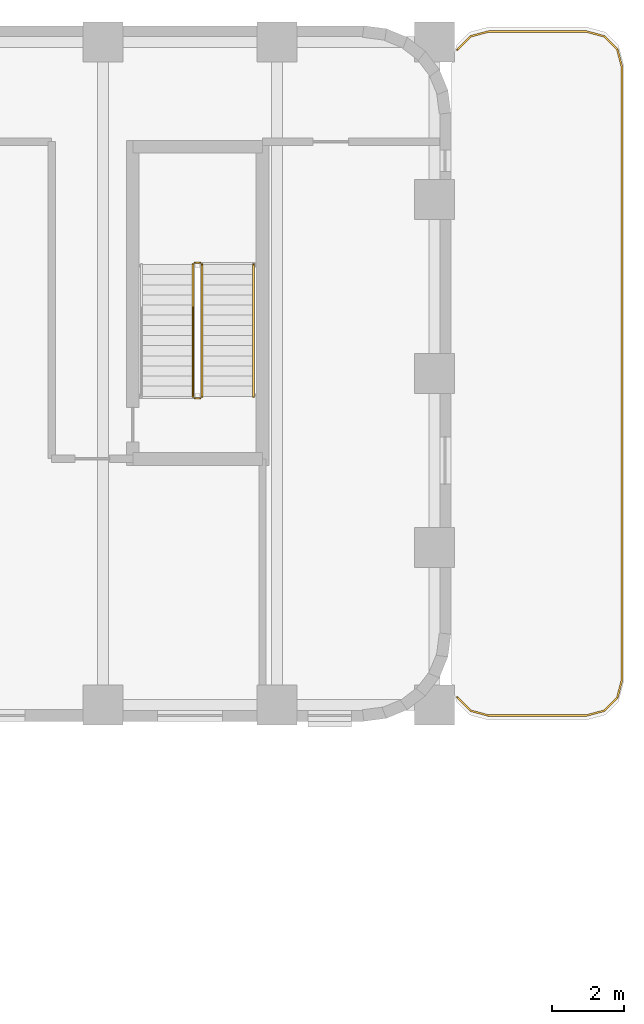
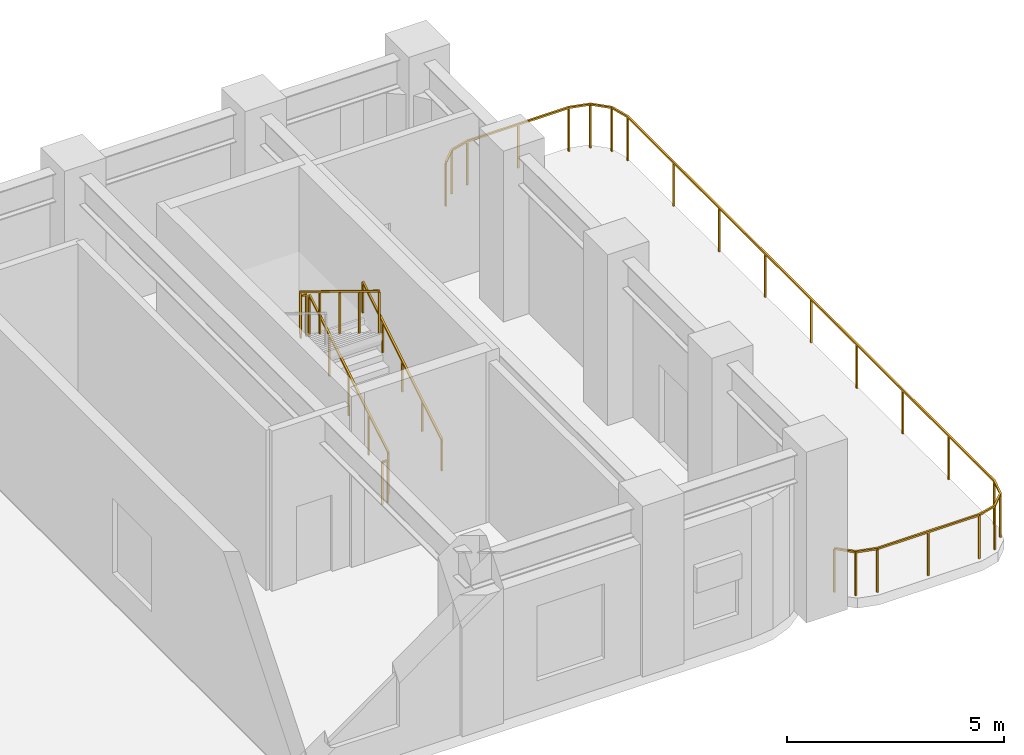
# One storey, part 12 of 12: 6 railings.
"""IFC4 building model written with IfcOpenShell, lengths in metres."""

from ifc_helpers import new_model, si_unit, direction, frame, origin, origin_2d, place, context, subcontext, project, spatial, rectangle, extrude, material, type_object, element, save


model = new_model("IFC4")

# Units and contexts
model_context = context("Model", 3, precision=1e-05, world=origin(), true_north=direction((0.0, 1.0)))
body_context = subcontext(model_context, "Body", "Model", "MODEL_VIEW")
ifc_project = project(units=[si_unit("LENGTHUNIT", "METRE"), si_unit("AREAUNIT", "SQUARE_METRE"), si_unit("VOLUMEUNIT", "CUBIC_METRE"), si_unit("PLANEANGLEUNIT", "RADIAN"), si_unit("MASSUNIT", "GRAM", prefix="KILO")], contexts=[model_context])

# Site, building, storey
site_placement = place(None, origin())
site = spatial("IfcSite", under=ifc_project, at=site_placement, CompositionType="ELEMENT")
building_placement = place(site_placement, origin())
building = spatial("IfcBuilding", under=site, at=building_placement, Name="Orvandelia Arch Residences", CompositionType="ELEMENT")
storey_placement = place(building_placement, frame((0.0, 0.0, 97.0)))
storey = spatial("IfcBuildingStorey", under=building, at=storey_placement, Name="L25", CompositionType="ELEMENT", Elevation=97.0)

# Railings
ifc_material_1 = material(Name="Marine-Grade Stainless Steel 316", Category="steel")
railing_type_1 = type_object("IfcRailingType", Name="GRD-TERR-1250", PredefinedType="GUARDRAIL", material=ifc_material_1)
railing_1_placement = place(storey_placement, frame((52.98291015625, 29.45654296875, 0.0)))
element("IfcRailing", 1, at=railing_1_placement, inside=storey, type_object=railing_type_1, Name="Safety Balustrade Guard GRD-L25-TERR-L25-EAST-1", PredefinedType="GUARDRAIL", context=body_context, shape_type="SweptSolid", body=[
    extrude(rectangle(XDim=0.048095703125, YDim=0.048095703125, at=origin_2d()), frame((0.0, 0.0, 1.22607421875), z_axis=(0.703049221752, -0.711141189775, 0.0), x_axis=(0.711141189775, 0.703049221752, 0.0)), (0.0, 0.0, 1.0), 0.512939453125),
    extrude(rectangle(XDim=0.048095703125, YDim=0.048095703125, at=origin_2d()), frame((0.360595703125, -0.36474609375, 1.22607421875), z_axis=(0.965509587214, -0.260367503727, 0.0), x_axis=(0.260367503727, 0.965509587214, 0.0)), (0.0, 0.0, 1.0), 0.510986328125),
    extrude(rectangle(XDim=0.048095703125, YDim=0.048095703125, at=origin_2d()), frame((0.85400390625, -0.497802734375, 1.22607421875), z_axis=(1.0, 0.0, 0.0), x_axis=(0.0, 1.0, 0.0)), (0.0, 0.0, 1.0), 2.7060546875),
    extrude(rectangle(XDim=0.048095703125, YDim=0.048095703125, at=origin_2d()), frame((3.56005859375, -0.497802734375, 1.22607421875), z_axis=(0.965541951307, 0.260247459675, 0.0), x_axis=(-0.260247459675, 0.965541951307, 0.0)), (0.0, 0.0, 1.0), 0.51123046875),
    extrude(rectangle(XDim=0.048095703125, YDim=0.048095703125, at=origin_2d()), frame((4.0537109375, -0.36474609375, 1.22607421875), z_axis=(0.703049221752, 0.711141189775, 0.0), x_axis=(-0.711141189775, 0.703049221752, 0.0)), (0.0, 0.0, 1.0), 0.512939453125),
    extrude(rectangle(XDim=0.048095703125, YDim=0.048095703125, at=origin_2d()), frame((4.414306640625, 0.0, 1.22607421875), z_axis=(0.253654619193, 0.967294853787, 0.0), x_axis=(-0.967294853787, 0.253654619193, 0.0)), (0.0, 0.0, 1.0), 0.515869140625),
    extrude(rectangle(XDim=0.048095703125, YDim=0.048095703125, at=origin_2d()), frame((4.545166015625, 0.4990234375, 1.22607421875), z_axis=(0.0, 1.0, 0.0), x_axis=(-1.0, 0.0, 0.0)), (0.0, 0.0, 1.0), 16.888916015625),
    extrude(rectangle(XDim=0.048095703125, YDim=0.048095703125, at=origin_2d()), frame((4.545166015625, 17.387939453125, 1.22607421875), z_axis=(-0.253654619193, 0.967294853787, 0.0), x_axis=(-0.967294853787, -0.253654619193, 0.0)), (0.0, 0.0, 1.0), 0.515869140625),
    extrude(rectangle(XDim=0.048095703125, YDim=0.048095703125, at=origin_2d()), frame((4.414306640625, 17.886962890625, 1.22607421875), z_axis=(-0.703049221752, 0.711141189775, 0.0), x_axis=(-0.711141189775, -0.703049221752, 0.0)), (0.0, 0.0, 1.0), 0.512939453125),
    extrude(rectangle(XDim=0.048095703125, YDim=0.048095703125, at=origin_2d()), frame((4.0537109375, 18.251708984375, 1.22607421875), z_axis=(-0.965541951307, 0.260247459675, 0.0), x_axis=(-0.260247459675, -0.965541951307, 0.0)), (0.0, 0.0, 1.0), 0.51123046875),
    extrude(rectangle(XDim=0.048095703125, YDim=0.048095703125, at=origin_2d()), frame((3.56005859375, 18.384765625, 1.22607421875), z_axis=(-1.0, 0.0, 0.0), x_axis=(0.0, -1.0, 0.0)), (0.0, 0.0, 1.0), 2.7060546875),
    extrude(rectangle(XDim=0.048095703125, YDim=0.048095703125, at=origin_2d()), frame((0.85400390625, 18.384765625, 1.22607421875), z_axis=(-0.965509587214, -0.260367503727, 0.0), x_axis=(0.260367503727, -0.965509587214, 0.0)), (0.0, 0.0, 1.0), 0.510986328125),
    extrude(rectangle(XDim=0.048095703125, YDim=0.048095703125, at=origin_2d()), frame((0.360595703125, 18.251708984375, 1.22607421875), z_axis=(-0.703049221752, -0.711141189775, 0.0), x_axis=(0.711141189775, -0.703049221752, 0.0)), (0.0, 0.0, 1.0), 0.512939453125),
    extrude(rectangle(XDim=0.0419921875, YDim=0.0419921875, at=origin_2d()), origin(), (0.0, 0.0, 1.0), 1.201904296875),
    extrude(rectangle(XDim=0.0419921875, YDim=0.0419921875, at=origin_2d()), frame((0.360595703125, -0.36474609375, 0.0)), (0.0, 0.0, 1.0), 1.201904296875),
    extrude(rectangle(XDim=0.0419921875, YDim=0.0419921875, at=origin_2d()), frame((0.85400390625, -0.497802734375, 0.0)), (0.0, 0.0, 1.0), 1.201904296875),
    extrude(rectangle(XDim=0.0419921875, YDim=0.0419921875, at=origin_2d()), frame((2.20703125, -0.497802734375, 0.0)), (0.0, 0.0, 1.0), 1.201904296875),
    extrude(rectangle(XDim=0.0419921875, YDim=0.0419921875, at=origin_2d()), frame((3.56005859375, -0.497802734375, 0.0)), (0.0, 0.0, 1.0), 1.201904296875),
    extrude(rectangle(XDim=0.0419921875, YDim=0.0419921875, at=origin_2d()), frame((4.0537109375, -0.36474609375, 0.0)), (0.0, 0.0, 1.0), 1.201904296875),
    extrude(rectangle(XDim=0.0419921875, YDim=0.0419921875, at=origin_2d()), frame((4.414306640625, 0.0, 0.0)), (0.0, 0.0, 1.0), 1.201904296875),
    extrude(rectangle(XDim=0.0419921875, YDim=0.0419921875, at=origin_2d()), frame((4.545166015625, 0.4990234375, 0.0)), (0.0, 0.0, 1.0), 1.201904296875),
    extrude(rectangle(XDim=0.0419921875, YDim=0.0419921875, at=origin_2d()), frame((4.545166015625, 2.610107421875, 0.0)), (0.0, 0.0, 1.0), 1.201904296875),
    extrude(rectangle(XDim=0.0419921875, YDim=0.0419921875, at=origin_2d()), frame((4.545166015625, 4.72119140625, 0.0)), (0.0, 0.0, 1.0), 1.201904296875),
    extrude(rectangle(XDim=0.0419921875, YDim=0.0419921875, at=origin_2d()), frame((4.545166015625, 6.832275390625, 0.0)), (0.0, 0.0, 1.0), 1.201904296875),
    extrude(rectangle(XDim=0.0419921875, YDim=0.0419921875, at=origin_2d()), frame((4.545166015625, 8.943359375, 0.0)), (0.0, 0.0, 1.0), 1.201904296875),
    extrude(rectangle(XDim=0.0419921875, YDim=0.0419921875, at=origin_2d()), frame((4.545166015625, 11.0546875, 0.0)), (0.0, 0.0, 1.0), 1.201904296875),
    extrude(rectangle(XDim=0.0419921875, YDim=0.0419921875, at=origin_2d()), frame((4.545166015625, 13.165771484375, 0.0)), (0.0, 0.0, 1.0), 1.201904296875),
    extrude(rectangle(XDim=0.0419921875, YDim=0.0419921875, at=origin_2d()), frame((4.545166015625, 15.27685546875, 0.0)), (0.0, 0.0, 1.0), 1.201904296875),
    extrude(rectangle(XDim=0.0419921875, YDim=0.0419921875, at=origin_2d()), frame((4.545166015625, 17.387939453125, 0.0)), (0.0, 0.0, 1.0), 1.201904296875),
    extrude(rectangle(XDim=0.0419921875, YDim=0.0419921875, at=origin_2d()), frame((4.414306640625, 17.886962890625, 0.0)), (0.0, 0.0, 1.0), 1.201904296875),
    extrude(rectangle(XDim=0.0419921875, YDim=0.0419921875, at=origin_2d()), frame((4.0537109375, 18.251708984375, 0.0)), (0.0, 0.0, 1.0), 1.201904296875),
    extrude(rectangle(XDim=0.0419921875, YDim=0.0419921875, at=origin_2d()), frame((3.56005859375, 18.384765625, 0.0)), (0.0, 0.0, 1.0), 1.201904296875),
    extrude(rectangle(XDim=0.0419921875, YDim=0.0419921875, at=origin_2d()), frame((2.20703125, 18.384765625, 0.0)), (0.0, 0.0, 1.0), 1.201904296875),
    extrude(rectangle(XDim=0.0419921875, YDim=0.0419921875, at=origin_2d()), frame((0.85400390625, 18.384765625, 0.0)), (0.0, 0.0, 1.0), 1.201904296875),
    extrude(rectangle(XDim=0.0419921875, YDim=0.0419921875, at=origin_2d()), frame((0.360595703125, 18.251708984375, 0.0)), (0.0, 0.0, 1.0), 1.201904296875),
    extrude(rectangle(XDim=0.0419921875, YDim=0.0419921875, at=origin_2d()), frame((0.0, 17.886962890625, 0.0)), (0.0, 0.0, 1.0), 1.201904296875),
])
ifc_material_2 = material(Name="Brushed Stainless Steel 304", Category="steel")
railing_type_2 = type_object("IfcRailingType", Name="RL-STAIR-GD1120", PredefinedType="GUARDRAIL", material=ifc_material_2)
railing_2_placement = place(storey_placement, frame((45.929931640625, 37.77001953125, 0.17138671875)))
element("IfcRailing", 2, at=railing_2_placement, inside=storey, type_object=railing_type_2, Name="L25 ST-3 stair guard 1", PredefinedType="GUARDRAIL", context=body_context, shape_type="SweptSolid", body=[
    extrude(rectangle(XDim=0.048095703125, YDim=0.048095703125, at=origin_2d()), frame((0.0, 0.0, 1.17578125), z_axis=(0.0, 0.852850264322, 0.5221555579), x_axis=(-1.0, 0.0, 0.0)), (0.0, 0.0, 1.0), 4.267822265625),
    extrude(rectangle(XDim=0.0419921875, YDim=0.0419921875, at=origin_2d()), origin(), (0.0, 0.0, 1.0), 1.15185546875),
    extrude(rectangle(XDim=0.0419921875, YDim=0.0419921875, at=origin_2d()), frame((0.0, 0.909912109375, 0.55712890625)), (0.0, 0.0, 1.0), 1.15185546875),
    extrude(rectangle(XDim=0.0419921875, YDim=0.0419921875, at=origin_2d()), frame((0.0, 1.81982421875, 1.1142578125)), (0.0, 0.0, 1.0), 1.15185546875),
    extrude(rectangle(XDim=0.0419921875, YDim=0.0419921875, at=origin_2d()), frame((0.0, 2.72998046875, 1.67138671875)), (0.0, 0.0, 1.0), 1.15185546875),
    extrude(rectangle(XDim=0.0419921875, YDim=0.0419921875, at=origin_2d()), frame((0.0, 3.639892578125, 2.228515625)), (0.0, 0.0, 1.0), 1.15185546875),
])
railing_3_placement = place(storey_placement, frame((45.8798828125, 41.4599609375, 2.39990234375)))
element("IfcRailing", 3, at=railing_3_placement, inside=storey, type_object=railing_type_2, Name="L25 ST-3 stair guard 2", PredefinedType="GUARDRAIL", context=body_context, shape_type="SweptSolid", body=[
    extrude(rectangle(XDim=0.048095703125, YDim=0.048095703125, at=origin_2d()), frame((0.0, 0.0, 1.17578125), z_axis=(-1.0, 0.0, 0.0), x_axis=(0.0, -1.0, 0.0)), (0.0, 0.0, 1.0), 0.14990234375),
    extrude(rectangle(XDim=0.0419921875, YDim=0.0419921875, at=origin_2d()), origin(), (0.0, 0.0, 1.0), 1.15185546875),
    extrude(rectangle(XDim=0.0419921875, YDim=0.0419921875, at=origin_2d()), frame((-0.14990234375, 0.0, 0.0)), (0.0, 0.0, 1.0), 1.15185546875),
])
railing_4_placement = place(storey_placement, frame((45.679931640625, 41.409912109375, 2.571533203125)))
element("IfcRailing", 4, at=railing_4_placement, inside=storey, type_object=railing_type_2, Name="L25 ST-3 stair guard 3", PredefinedType="GUARDRAIL", context=body_context, shape_type="SweptSolid", body=[
    extrude(rectangle(XDim=0.048095703125, YDim=0.048095703125, at=origin_2d()), frame((0.0, 0.0, 1.17578125), z_axis=(0.0, -0.852850264322, 0.5221555579), x_axis=(1.0, 0.0, 0.0)), (0.0, 0.0, 1.0), 4.267822265625),
    extrude(rectangle(XDim=0.0419921875, YDim=0.0419921875, at=origin_2d()), origin(), (0.0, 0.0, 1.0), 1.15185546875),
    extrude(rectangle(XDim=0.0419921875, YDim=0.0419921875, at=origin_2d()), frame((0.0, -0.909912109375, 0.55712890625)), (0.0, 0.0, 1.0), 1.15185546875),
    extrude(rectangle(XDim=0.0419921875, YDim=0.0419921875, at=origin_2d()), frame((0.0, -1.81982421875, 1.1142578125)), (0.0, 0.0, 1.0), 1.15185546875),
    extrude(rectangle(XDim=0.0419921875, YDim=0.0419921875, at=origin_2d()), frame((0.0, -2.72998046875, 1.67138671875)), (0.0, 0.0, 1.0), 1.15185546875),
    extrude(rectangle(XDim=0.0419921875, YDim=0.0419921875, at=origin_2d()), frame((0.0, -3.639892578125, 2.228515625)), (0.0, 0.0, 1.0), 1.15185546875),
])
railing_5_placement = place(storey_placement, frame((45.8798828125, 37.719970703125, 0.0)))
element("IfcRailing", 5, at=railing_5_placement, inside=storey, type_object=railing_type_2, Name="L25 ST-3 stair guard 4", PredefinedType="GUARDRAIL", context=body_context, shape_type="SweptSolid", body=[
    extrude(rectangle(XDim=0.048095703125, YDim=0.048095703125, at=origin_2d()), frame((0.0, 0.0, 1.17578125), z_axis=(-1.0, 0.0, 0.0), x_axis=(0.0, -1.0, 0.0)), (0.0, 0.0, 1.0), 0.14990234375),
    extrude(rectangle(XDim=0.0419921875, YDim=0.0419921875, at=origin_2d()), origin(), (0.0, 0.0, 1.0), 1.15185546875),
    extrude(rectangle(XDim=0.0419921875, YDim=0.0419921875, at=origin_2d()), frame((-0.14990234375, 0.0, 0.0)), (0.0, 0.0, 1.0), 1.15185546875),
])
railing_type_3 = type_object("IfcRailingType", Name="RL-STAIR-HR920", PredefinedType="HANDRAIL", material=ifc_material_2)
railing_6_placement = place(storey_placement, frame((47.35009765625, 37.77001953125, 0.3427734375)))
element("IfcRailing", 6, at=railing_6_placement, inside=storey, type_object=railing_type_3, Name="L25 ST-3 stair handrail 1", PredefinedType="HANDRAIL", context=body_context, shape_type="SweptSolid", body=[
    extrude(rectangle(XDim=0.048095703125, YDim=0.048095703125, at=origin_2d()), frame((0.0, 0.0, 0.8759765625), z_axis=(0.0, 0.852824790078, 0.522197163366), x_axis=(-1.0, 0.0, 0.0)), (0.0, 0.0, 1.0), 4.26806640625),
    extrude(rectangle(XDim=0.0419921875, YDim=0.0419921875, at=origin_2d()), origin(), (0.0, 0.0, 1.0), 0.851806640625),
    extrude(rectangle(XDim=0.0419921875, YDim=0.0419921875, at=origin_2d()), frame((0.0, 0.909912109375, 0.55712890625)), (0.0, 0.0, 1.0), 0.851806640625),
    extrude(rectangle(XDim=0.0419921875, YDim=0.0419921875, at=origin_2d()), frame((0.0, 1.81982421875, 1.1142578125)), (0.0, 0.0, 1.0), 0.851806640625),
    extrude(rectangle(XDim=0.0419921875, YDim=0.0419921875, at=origin_2d()), frame((0.0, 2.72998046875, 1.671630859375)), (0.0, 0.0, 1.0), 0.851806640625),
    extrude(rectangle(XDim=0.0419921875, YDim=0.0419921875, at=origin_2d()), frame((0.0, 3.639892578125, 2.228759765625)), (0.0, 0.0, 1.0), 0.851806640625),
])

save(model, "model.ifc")
